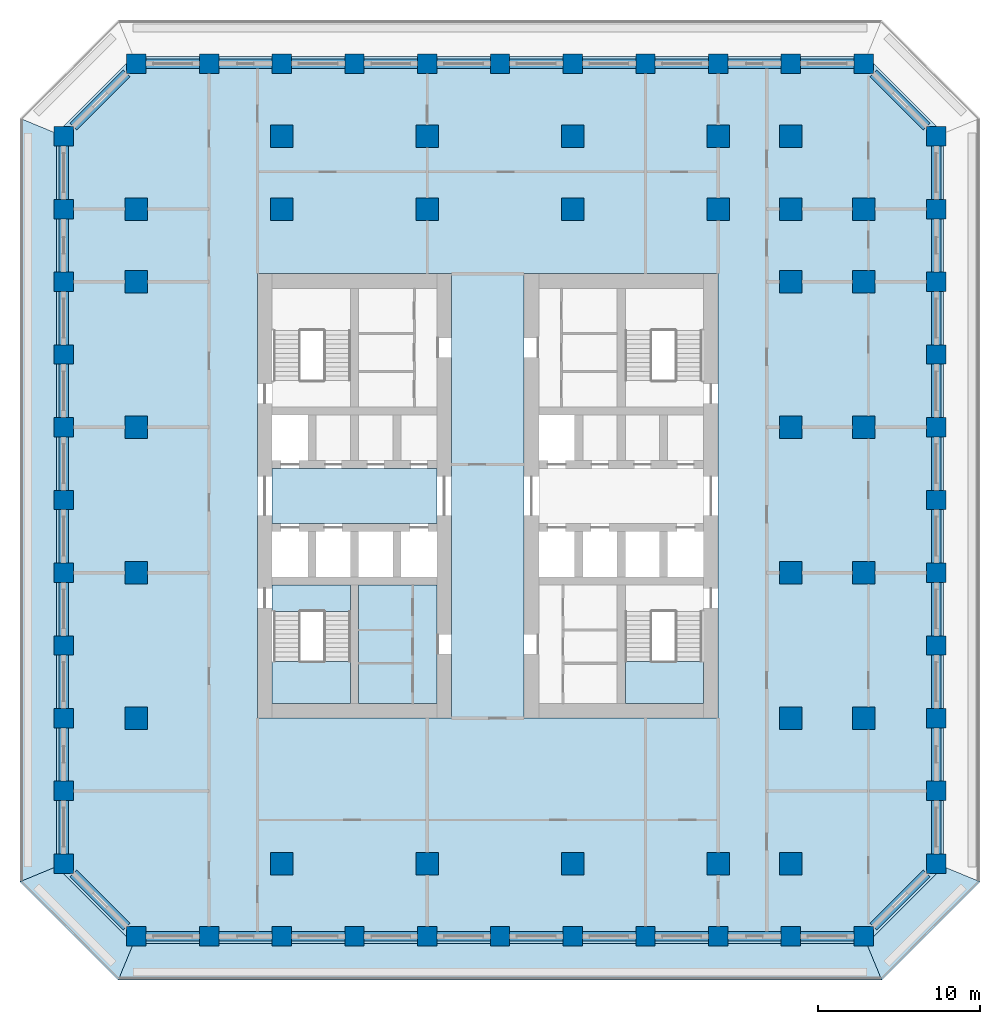
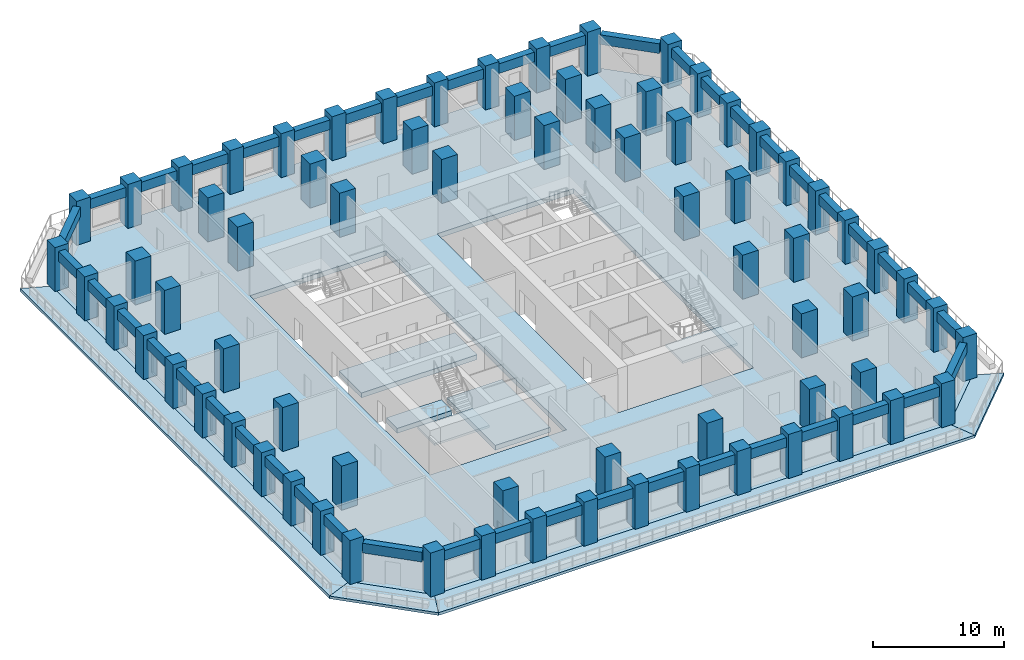
# One storey, part 1 of 17: 73 columns, 44 beams, 10 slabs, 2 elements without a shape of their own.
"""IFC4 building model written with IfcOpenShell, lengths in metres."""

from ifc_helpers import new_model, si_unit, direction, frame, origin, origin_2d, place, context, subcontext, project, spatial, polyline, rectangle, outline, extrude, material, layer, layer_set, material_profile, profile_set, type_object, element, aggregate, save


model = new_model("IFC4")

# Units and contexts
model_context = context("Model", 3, precision=1e-05, world=origin(), true_north=direction((0.0, 1.0)))
body_context = subcontext(model_context, "Body", "Model", "MODEL_VIEW")
ifc_project = project(units=[si_unit("LENGTHUNIT", "METRE"), si_unit("AREAUNIT", "SQUARE_METRE"), si_unit("VOLUMEUNIT", "CUBIC_METRE"), si_unit("PLANEANGLEUNIT", "RADIAN"), si_unit("MASSUNIT", "GRAM", prefix="KILO")], contexts=[model_context])

# Site, building, storey
site_placement = place(None, origin())
site = spatial("IfcSite", under=ifc_project, at=site_placement, CompositionType="ELEMENT")
building_placement = place(site_placement, origin())
building = spatial("IfcBuilding", under=site, at=building_placement, Name="Corbel Stack Research Tower", CompositionType="ELEMENT")
storey_placement = place(building_placement, frame((0.0, 0.0, 94.300048828125)))
storey = spatial("IfcBuildingStorey", under=building, at=storey_placement, Name="L21", CompositionType="ELEMENT", Elevation=94.300048828125)

# Columns
ifc_material_1 = material(Name="Concrete C70/85", Category="concrete")
ifc_material_profile_1 = material_profile(ifc_material_1, rectangle(XDim=1.199951171875, YDim=1.199951171875, at=origin_2d()), Name="RC 1200 x 1200")
ifc_profile_set_1 = profile_set([ifc_material_profile_1], Name="Concrete C70/85")
column_type_1 = type_object("IfcColumnType", Name="C-1200-70", PredefinedType="COLUMN", material=ifc_profile_set_1)
for number, where, z_axis, x_axis, name in (
    (1, (-22.5, -18.0, 0.0), (0.0, 0.0, 1.0), (1.0, 0.0, 0.0), "Column 3/D L21"),
    (2, (-22.5, -13.5, 0.0), (0.0, 0.0, 1.0), (1.0, 0.0, 0.0), "Column 3/E L21"),
    (3, (-22.5, -9.0, 0.0), (0.0, 0.0, 1.0), (1.0, 0.0, 0.0), "Column 3/F L21"),
    (4, (-22.5, -4.5, 0.0), (0.0, 0.0, 1.0), (1.0, 0.0, 0.0), "Column 3/G L21"),
    (5, (-22.5, 0.0, 0.0), (0.0, 0.0, 1.0), (1.0, 0.0, 0.0), "Column 3/H L21"),
    (6, (-22.5, 4.5, 0.0), (0.0, 0.0, 1.0), (1.0, 0.0, 0.0), "Column 3/J L21"),
    (7, (-22.5, 9.0, 0.0), (0.0, 0.0, 1.0), (1.0, 0.0, 0.0), "Column 3/K L21"),
    (8, (-22.5, 13.5, 0.0), (0.0, 0.0, 1.0), (1.0, 0.0, 0.0), "Column 3/L L21"),
    (9, (-22.5, 18.0, 0.0), (0.0, 0.0, 1.0), (1.0, 0.0, 0.0), "Column 3/M L21"),
    (10, (-22.5, 22.5, 0.0), (0.0, 0.0, 1.0), (1.0, 0.0, 0.0), "Column 3/N L21"),
    (11, (-22.5, 27.0, 0.0), (0.0, 0.0, 1.0), (1.0, 0.0, 0.0), "Column 3/P L21"),
    (12, (-18.0, -22.5, 0.0), (0.0, 0.0, 1.0), (1.0, 0.0, 0.0), "Column 4/C L21"),
    (13, (-18.0, 31.5, 0.0), (0.0, 0.0, 1.0), (1.0, 0.0, 0.0), "Column 4/Q L21"),
    (14, (-13.5, -22.5, 0.0), (0.0, 0.0, 1.0), (1.0, 0.0, 0.0), "Column 5/C L21"),
    (15, (-13.5, 31.5, 0.0), (0.0, 0.0, 1.0), (1.0, 0.0, 0.0), "Column 5/Q L21"),
    (16, (-9.0, -22.5, 0.0), (0.0, 0.0, 1.0), (1.0, 0.0, 0.0), "Column 6/C L21"),
    (17, (-9.0, 31.5, 0.0), (0.0, 0.0, 1.0), (1.0, 0.0, 0.0), "Column 6/Q L21"),
    (18, (-4.5, -22.5, 0.0), (0.0, 0.0, 1.0), (1.0, 0.0, 0.0), "Column 7/C L21"),
    (19, (-4.5, 31.5, 0.0), (0.0, 0.0, 1.0), (1.0, 0.0, 0.0), "Column 7/Q L21"),
    (20, (0.0, -22.5, 0.0), (0.0, 0.0, 1.0), (1.0, 0.0, 0.0), "Column 8/C L21"),
    (21, (0.0, 31.5, 0.0), (0.0, 0.0, 1.0), (1.0, 0.0, 0.0), "Column 8/Q L21"),
    (22, (4.5, -22.5, 0.0), (0.0, 0.0, 1.0), (1.0, 0.0, 0.0), "Column 9/C L21"),
    (23, (4.5, 31.5, 0.0), (0.0, 0.0, 1.0), (1.0, 0.0, 0.0), "Column 9/Q L21"),
    (24, (9.0, -22.5, 0.0), (0.0, 0.0, 1.0), (1.0, 0.0, 0.0), "Column 10/C L21"),
    (25, (9.0, 31.5, 0.0), (0.0, 0.0, 1.0), (1.0, 0.0, 0.0), "Column 10/Q L21"),
    (26, (13.5, -22.5, 0.0), (0.0, 0.0, 1.0), (1.0, 0.0, 0.0), "Column 11/C L21"),
    (27, (13.5, 31.5, 0.0), (0.0, 0.0, 1.0), (1.0, 0.0, 0.0), "Column 11/Q L21"),
    (28, (18.0, -22.5, 0.0), (0.0, 0.0, 1.0), (1.0, 0.0, 0.0), "Column 12/C L21"),
    (29, (18.0, 31.5, 0.0), (0.0, 0.0, 1.0), (1.0, 0.0, 0.0), "Column 12/Q L21"),
    (30, (22.5, -22.5, 0.0), (0.0, 0.0, 1.0), (1.0, 0.0, 0.0), "Column 13/C L21"),
    (31, (22.5, 31.5, 0.0), (0.0, 0.0, 1.0), (1.0, 0.0, 0.0), "Column 13/Q L21"),
    (32, (27.0, -22.5, 0.0), (0.0, 0.0, 1.0), (1.0, 0.0, 0.0), "Column 14/C L21"),
    (33, (27.0, 31.5, 0.0), (0.0, 0.0, 1.0), (1.0, 0.0, 0.0), "Column 14/Q L21"),
    (34, (31.5, -18.0, 0.0), (0.0, 0.0, 1.0), (1.0, 0.0, 0.0), "Column 15/D L21"),
    (35, (31.5, -13.5, 0.0), (0.0, 0.0, 1.0), (1.0, 0.0, 0.0), "Column 15/E L21"),
    (36, (31.5, -9.0, 0.0), (0.0, 0.0, 1.0), (1.0, 0.0, 0.0), "Column 15/F L21"),
    (37, (31.5, -4.5, 0.0), (0.0, 0.0, 1.0), (1.0, 0.0, 0.0), "Column 15/G L21"),
    (38, (31.5, 0.0, 0.0), (0.0, 0.0, 1.0), (1.0, 0.0, 0.0), "Column 15/H L21"),
    (39, (31.5, 4.5, 0.0), (0.0, 0.0, 1.0), (1.0, 0.0, 0.0), "Column 15/J L21"),
    (40, (31.5, 9.0, 0.0), (0.0, 0.0, 1.0), (1.0, 0.0, 0.0), "Column 15/K L21"),
    (41, (31.5, 13.5, 0.0), (0.0, 0.0, 1.0), (1.0, 0.0, 0.0), "Column 15/L L21"),
    (42, (31.5, 18.0, 0.0), (0.0, 0.0, 1.0), (1.0, 0.0, 0.0), "Column 15/M L21"),
    (43, (31.5, 22.5, 0.0), (0.0, 0.0, 1.0), (1.0, 0.0, 0.0), "Column 15/N L21"),
    (44, (31.5, 27.0, 0.0), (0.0, 0.0, 1.0), (1.0, 0.0, 0.0), "Column 15/P L21"),
):
    element("IfcColumn", number, at=place(storey_placement, frame(where, z_axis=z_axis, x_axis=x_axis)), inside=storey, type_object=column_type_1, Name=name, PredefinedType="COLUMN", context=body_context, shape_type="SweptSolid", body=[
        extrude(rectangle(XDim=1.199951171875, YDim=1.199951171875, at=origin_2d()), origin(), (0.0, 0.0, 1.0), 4.099853515625),
    ])
ifc_material_2 = material(Name="Concrete C70/85", Category="concrete")
ifc_material_profile_2 = material_profile(ifc_material_2, rectangle(XDim=1.39990234375, YDim=1.39990234375, at=origin_2d()), Name="RC 1400 x 1400")
ifc_profile_set_2 = profile_set([ifc_material_profile_2], Name="Concrete C70/85")
column_type_2 = type_object("IfcColumnType", Name="C-1400-70", PredefinedType="COLUMN", material=ifc_profile_set_2)
for number, where, z_axis, x_axis, name in (
    (45, (-18.0, -9.0, 0.0), (0.0, 0.0, 1.0), (1.0, 0.0, 0.0), "Column 4/F L21"),
    (46, (-18.0, 0.0, 0.0), (0.0, 0.0, 1.0), (1.0, 0.0, 0.0), "Column 4/H L21"),
    (47, (-18.0, 9.0, 0.0), (0.0, 0.0, 1.0), (1.0, 0.0, 0.0), "Column 4/K L21"),
    (48, (-18.0, 18.0, 0.0), (0.0, 0.0, 1.0), (1.0, 0.0, 0.0), "Column 4/M L21"),
    (49, (-18.0, 22.5, 0.0), (0.0, 0.0, 1.0), (1.0, 0.0, 0.0), "Column 4/N L21"),
    (50, (-9.0, -18.0, 0.0), (0.0, 0.0, 1.0), (1.0, 0.0, 0.0), "Column 6/D L21"),
    (51, (-9.0, 22.5, 0.0), (0.0, 0.0, 1.0), (1.0, 0.0, 0.0), "Column 6/N L21"),
    (52, (-9.0, 27.0, 0.0), (0.0, 0.0, 1.0), (1.0, 0.0, 0.0), "Column 6/P L21"),
    (53, (0.0, -18.0, 0.0), (0.0, 0.0, 1.0), (1.0, 0.0, 0.0), "Column 8/D L21"),
    (54, (0.0, 22.5, 0.0), (0.0, 0.0, 1.0), (1.0, 0.0, 0.0), "Column 8/N L21"),
    (55, (0.0, 27.0, 0.0), (0.0, 0.0, 1.0), (1.0, 0.0, 0.0), "Column 8/P L21"),
    (56, (9.0, -18.0, 0.0), (0.0, 0.0, 1.0), (1.0, 0.0, 0.0), "Column 10/D L21"),
    (57, (9.0, 22.5, 0.0), (0.0, 0.0, 1.0), (1.0, 0.0, 0.0), "Column 10/N L21"),
    (58, (9.0, 27.0, 0.0), (0.0, 0.0, 1.0), (1.0, 0.0, 0.0), "Column 10/P L21"),
    (59, (18.0, -18.0, 0.0), (0.0, 0.0, 1.0), (1.0, 0.0, 0.0), "Column 12/D L21"),
    (60, (18.0, 22.5, 0.0), (0.0, 0.0, 1.0), (1.0, 0.0, 0.0), "Column 12/N L21"),
    (61, (18.0, 27.0, 0.0), (0.0, 0.0, 1.0), (1.0, 0.0, 0.0), "Column 12/P L21"),
    (62, (22.5, -18.0, 0.0), (0.0, 0.0, 1.0), (1.0, 0.0, 0.0), "Column 13/D L21"),
    (63, (22.5, -9.0, 0.0), (0.0, 0.0, 1.0), (1.0, 0.0, 0.0), "Column 13/F L21"),
    (64, (22.5, 0.0, 0.0), (0.0, 0.0, 1.0), (1.0, 0.0, 0.0), "Column 13/H L21"),
    (65, (22.5, 9.0, 0.0), (0.0, 0.0, 1.0), (1.0, 0.0, 0.0), "Column 13/K L21"),
    (66, (22.5, 18.0, 0.0), (0.0, 0.0, 1.0), (1.0, 0.0, 0.0), "Column 13/M L21"),
    (67, (22.5, 22.5, 0.0), (0.0, 0.0, 1.0), (1.0, 0.0, 0.0), "Column 13/N L21"),
    (68, (22.5, 27.0, 0.0), (0.0, 0.0, 1.0), (1.0, 0.0, 0.0), "Column 13/P L21"),
    (69, (27.0, -9.0, 0.0), (0.0, 0.0, 1.0), (1.0, 0.0, 0.0), "Column 14/F L21"),
    (70, (27.0, 0.0, 0.0), (0.0, 0.0, 1.0), (1.0, 0.0, 0.0), "Column 14/H L21"),
    (71, (27.0, 9.0, 0.0), (0.0, 0.0, 1.0), (1.0, 0.0, 0.0), "Column 14/K L21"),
    (72, (27.0, 18.0, 0.0), (0.0, 0.0, 1.0), (1.0, 0.0, 0.0), "Column 14/M L21"),
    (73, (27.0, 22.5, 0.0), (0.0, 0.0, 1.0), (1.0, 0.0, 0.0), "Column 14/N L21"),
):
    element("IfcColumn", number, at=place(storey_placement, frame(where, z_axis=z_axis, x_axis=x_axis)), inside=storey, type_object=column_type_2, Name=name, PredefinedType="COLUMN", context=body_context, shape_type="SweptSolid", body=[
        extrude(rectangle(XDim=1.39990234375, YDim=1.39990234375, at=origin_2d()), origin(), (0.0, 0.0, 1.0), 4.099853515625),
    ])

# Beams
ifc_material_3 = material(Name="Concrete C60/75", Category="concrete")
ifc_material_profile_3 = material_profile(ifc_material_3, rectangle(XDim=0.60009765625, YDim=0.89990234375, at=origin_2d()), Name="RC 600 x 900")
ifc_profile_set_3 = profile_set([ifc_material_profile_3], Name="Concrete C60/75")
beam_type = type_object("IfcBeamType", Name="SB-600-900-450", PredefinedType="SPANDREL", material=ifc_profile_set_3)
for number, where, z_axis, x_axis, name in (
    (74, (-17.39990234375, -22.5, 3.199951171875), (1.0, 0.0, 0.0), (0.0, 1.0, 0.0), "Spandrel beam L21-01"),
    (75, (-12.89990234375, -22.5, 3.199951171875), (1.0, 0.0, 0.0), (0.0, 1.0, 0.0), "Spandrel beam L21-02"),
    (76, (-8.39990234375, -22.5, 3.199951171875), (1.0, 0.0, 0.0), (0.0, 1.0, 0.0), "Spandrel beam L21-03"),
    (77, (-3.89990234375, -22.5, 3.199951171875), (1.0, 0.0, 0.0), (0.0, 1.0, 0.0), "Spandrel beam L21-04"),
    (78, (0.60009765625, -22.5, 3.199951171875), (1.0, 0.0, 0.0), (0.0, 1.0, 0.0), "Spandrel beam L21-05"),
    (79, (5.10009765625, -22.5, 3.199951171875), (1.0, 0.0, 0.0), (0.0, 1.0, 0.0), "Spandrel beam L21-06"),
    (80, (9.60009765625, -22.5, 3.199951171875), (1.0, 0.0, 0.0), (0.0, 1.0, 0.0), "Spandrel beam L21-07"),
    (81, (14.10009765625, -22.5, 3.199951171875), (1.0, 0.0, 0.0), (0.0, 1.0, 0.0), "Spandrel beam L21-08"),
    (82, (18.60009765625, -22.5, 3.199951171875), (1.0, 0.0, 0.0), (0.0, 1.0, 0.0), "Spandrel beam L21-09"),
    (83, (23.10009765625, -22.5, 3.199951171875), (1.0, 0.0, 0.0), (0.0, 1.0, 0.0), "Spandrel beam L21-10"),
):
    element("IfcBeam", number, at=place(storey_placement, frame(where, z_axis=z_axis, x_axis=x_axis)), inside=storey, type_object=beam_type, Name=name, PredefinedType="SPANDREL", context=body_context, shape_type="SweptSolid", body=[
        extrude(rectangle(XDim=0.60009765625, YDim=0.89990234375, at=origin_2d()), origin(), (0.0, 0.0, 1.0), 3.2998046875),
    ])
beam_1_placement = place(storey_placement, frame((27.60009765625, -21.89990234375, 3.199951171875), z_axis=(0.707106781187, 0.707106781187, 0.0), x_axis=(-0.707106781187, 0.707106781187, 0.0)))
element("IfcBeam", 84, at=beam_1_placement, inside=storey, type_object=beam_type, Name="Spandrel beam L21-11", PredefinedType="SPANDREL", context=body_context, shape_type="SweptSolid", body=[
    extrude(rectangle(XDim=0.60009765625, YDim=0.89990234375, at=origin_2d()), origin(), (0.0, 0.0, 1.0), 4.666748046875),
])
for number, where, z_axis, x_axis, name in (
    (85, (31.5, -17.39990234375, 3.199951171875), (0.0, 1.0, 0.0), (-1.0, 0.0, 0.0), "Spandrel beam L21-12"),
    (86, (31.5, -12.89990234375, 3.199951171875), (0.0, 1.0, 0.0), (-1.0, 0.0, 0.0), "Spandrel beam L21-13"),
    (87, (31.5, -8.39990234375, 3.199951171875), (0.0, 1.0, 0.0), (-1.0, 0.0, 0.0), "Spandrel beam L21-14"),
    (88, (31.5, -3.89990234375, 3.199951171875), (0.0, 1.0, 0.0), (-1.0, 0.0, 0.0), "Spandrel beam L21-15"),
    (89, (31.5, 0.60009765625, 3.199951171875), (0.0, 1.0, 0.0), (-1.0, 0.0, 0.0), "Spandrel beam L21-16"),
    (90, (31.5, 5.10009765625, 3.199951171875), (0.0, 1.0, 0.0), (-1.0, 0.0, 0.0), "Spandrel beam L21-17"),
    (91, (31.5, 9.60009765625, 3.199951171875), (0.0, 1.0, 0.0), (-1.0, 0.0, 0.0), "Spandrel beam L21-18"),
    (92, (31.5, 14.10009765625, 3.199951171875), (0.0, 1.0, 0.0), (-1.0, 0.0, 0.0), "Spandrel beam L21-19"),
    (93, (31.5, 18.60009765625, 3.199951171875), (0.0, 1.0, 0.0), (-1.0, 0.0, 0.0), "Spandrel beam L21-20"),
    (94, (31.5, 23.10009765625, 3.199951171875), (0.0, 1.0, 0.0), (-1.0, 0.0, 0.0), "Spandrel beam L21-21"),
):
    element("IfcBeam", number, at=place(storey_placement, frame(where, z_axis=z_axis, x_axis=x_axis)), inside=storey, type_object=beam_type, Name=name, PredefinedType="SPANDREL", context=body_context, shape_type="SweptSolid", body=[
        extrude(rectangle(XDim=0.60009765625, YDim=0.89990234375, at=origin_2d()), origin(), (0.0, 0.0, 1.0), 3.2998046875),
    ])
beam_2_placement = place(storey_placement, frame((30.89990234375, 27.60009765625, 3.199951171875), z_axis=(-0.707106781187, 0.707106781187, 0.0), x_axis=(-0.707106781187, -0.707106781187, 0.0)))
element("IfcBeam", 95, at=beam_2_placement, inside=storey, type_object=beam_type, Name="Spandrel beam L21-22", PredefinedType="SPANDREL", context=body_context, shape_type="SweptSolid", body=[
    extrude(rectangle(XDim=0.60009765625, YDim=0.89990234375, at=origin_2d()), origin(), (0.0, 0.0, 1.0), 4.666748046875),
])
for number, where, z_axis, x_axis, name in (
    (96, (26.39990234375, 31.5, 3.199951171875), (-1.0, 0.0, 0.0), (0.0, -1.0, 0.0), "Spandrel beam L21-23"),
    (97, (21.89990234375, 31.5, 3.199951171875), (-1.0, 0.0, 0.0), (0.0, -1.0, 0.0), "Spandrel beam L21-24"),
    (98, (17.39990234375, 31.5, 3.199951171875), (-1.0, 0.0, 0.0), (0.0, -1.0, 0.0), "Spandrel beam L21-25"),
    (99, (12.89990234375, 31.5, 3.199951171875), (-1.0, 0.0, 0.0), (0.0, -1.0, 0.0), "Spandrel beam L21-26"),
    (100, (8.39990234375, 31.5, 3.199951171875), (-1.0, 0.0, 0.0), (0.0, -1.0, 0.0), "Spandrel beam L21-27"),
    (101, (3.89990234375, 31.5, 3.199951171875), (-1.0, 0.0, 0.0), (0.0, -1.0, 0.0), "Spandrel beam L21-28"),
    (102, (-0.60009765625, 31.5, 3.199951171875), (-1.0, 0.0, 0.0), (0.0, -1.0, 0.0), "Spandrel beam L21-29"),
    (103, (-5.10009765625, 31.5, 3.199951171875), (-1.0, 0.0, 0.0), (0.0, -1.0, 0.0), "Spandrel beam L21-30"),
    (104, (-9.60009765625, 31.5, 3.199951171875), (-1.0, 0.0, 0.0), (0.0, -1.0, 0.0), "Spandrel beam L21-31"),
    (105, (-14.10009765625, 31.5, 3.199951171875), (-1.0, 0.0, 0.0), (0.0, -1.0, 0.0), "Spandrel beam L21-32"),
):
    element("IfcBeam", number, at=place(storey_placement, frame(where, z_axis=z_axis, x_axis=x_axis)), inside=storey, type_object=beam_type, Name=name, PredefinedType="SPANDREL", context=body_context, shape_type="SweptSolid", body=[
        extrude(rectangle(XDim=0.60009765625, YDim=0.89990234375, at=origin_2d()), origin(), (0.0, 0.0, 1.0), 3.2998046875),
    ])
beam_3_placement = place(storey_placement, frame((-18.60009765625, 30.89990234375, 3.199951171875), z_axis=(-0.707106781187, -0.707106781187, 0.0), x_axis=(0.707106781187, -0.707106781187, 0.0)))
element("IfcBeam", 106, at=beam_3_placement, inside=storey, type_object=beam_type, Name="Spandrel beam L21-33", PredefinedType="SPANDREL", context=body_context, shape_type="SweptSolid", body=[
    extrude(rectangle(XDim=0.60009765625, YDim=0.89990234375, at=origin_2d()), origin(), (0.0, 0.0, 1.0), 4.666748046875),
])
for number, where, z_axis, x_axis, name in (
    (107, (-22.5, 26.39990234375, 3.199951171875), (0.0, -1.0, 0.0), (1.0, 0.0, 0.0), "Spandrel beam L21-34"),
    (108, (-22.5, 21.89990234375, 3.199951171875), (0.0, -1.0, 0.0), (1.0, 0.0, 0.0), "Spandrel beam L21-35"),
    (109, (-22.5, 17.39990234375, 3.199951171875), (0.0, -1.0, 0.0), (1.0, 0.0, 0.0), "Spandrel beam L21-36"),
    (110, (-22.5, 12.89990234375, 3.199951171875), (0.0, -1.0, 0.0), (1.0, 0.0, 0.0), "Spandrel beam L21-37"),
    (111, (-22.5, 8.39990234375, 3.199951171875), (0.0, -1.0, 0.0), (1.0, 0.0, 0.0), "Spandrel beam L21-38"),
    (112, (-22.5, 3.89990234375, 3.199951171875), (0.0, -1.0, 0.0), (1.0, 0.0, 0.0), "Spandrel beam L21-39"),
    (113, (-22.5, -0.60009765625, 3.199951171875), (0.0, -1.0, 0.0), (1.0, 0.0, 0.0), "Spandrel beam L21-40"),
    (114, (-22.5, -5.10009765625, 3.199951171875), (0.0, -1.0, 0.0), (1.0, 0.0, 0.0), "Spandrel beam L21-41"),
    (115, (-22.5, -9.60009765625, 3.199951171875), (0.0, -1.0, 0.0), (1.0, 0.0, 0.0), "Spandrel beam L21-42"),
    (116, (-22.5, -14.10009765625, 3.199951171875), (0.0, -1.0, 0.0), (1.0, 0.0, 0.0), "Spandrel beam L21-43"),
):
    element("IfcBeam", number, at=place(storey_placement, frame(where, z_axis=z_axis, x_axis=x_axis)), inside=storey, type_object=beam_type, Name=name, PredefinedType="SPANDREL", context=body_context, shape_type="SweptSolid", body=[
        extrude(rectangle(XDim=0.60009765625, YDim=0.89990234375, at=origin_2d()), origin(), (0.0, 0.0, 1.0), 3.2998046875),
    ])
beam_4_placement = place(storey_placement, frame((-21.89990234375, -18.60009765625, 3.199951171875), z_axis=(0.707106781187, -0.707106781187, 0.0), x_axis=(0.707106781187, 0.707106781187, 0.0)))
element("IfcBeam", 117, at=beam_4_placement, inside=storey, type_object=beam_type, Name="Spandrel beam L21-44", PredefinedType="SPANDREL", context=body_context, shape_type="SweptSolid", body=[
    extrude(rectangle(XDim=0.60009765625, YDim=0.89990234375, at=origin_2d()), origin(), (0.0, 0.0, 1.0), 4.666748046875),
])

# Slabs
ifc_material_4 = material(Name="Concrete C45/55", Category="concrete")
ifc_layer_1 = layer(ifc_material_4, 0.25)
ifc_layer_set_1 = layer_set([ifc_layer_1], Name="Concrete C45/55")
slab_type_1 = type_object("IfcSlabType", Name="PT balcony slab 250 C45/55", PredefinedType="FLOOR", material=ifc_layer_set_1)
slab_1_placement = place(storey_placement, frame((0.0, 0.0, -0.25)))
element("IfcSlab", 118, at=slab_1_placement, inside=storey, type_object=slab_type_1, Name="Loggia slab L21 S", PredefinedType="FLOOR", context=body_context, shape_type="SweptSolid", body=[
    extrude(outline(polyline([(27.24853515625, -23.10009765625), (26.39990234375, -23.10009765625), (26.39990234375, -22.949951171875), (23.10009765625, -22.949951171875), (23.10009765625, -23.10009765625), (21.89990234375, -23.10009765625), (21.89990234375, -22.949951171875), (18.60009765625, -22.949951171875), (18.60009765625, -23.10009765625), (17.39990234375, -23.10009765625), (17.39990234375, -22.949951171875), (14.10009765625, -22.949951171875), (14.10009765625, -23.10009765625), (12.89990234375, -23.10009765625), (12.89990234375, -22.949951171875), (9.60009765625, -22.949951171875), (9.60009765625, -23.10009765625), (8.39990234375, -23.10009765625), (8.39990234375, -22.949951171875), (5.10009765625, -22.949951171875), (5.10009765625, -23.10009765625), (3.89990234375, -23.10009765625), (3.89990234375, -22.949951171875), (0.60009765625, -22.949951171875), (0.60009765625, -23.10009765625), (-0.60009765625, -23.10009765625), (-0.60009765625, -22.949951171875), (-3.89990234375, -22.949951171875), (-3.89990234375, -23.10009765625), (-5.10009765625, -23.10009765625), (-5.10009765625, -22.949951171875), (-8.39990234375, -22.949951171875), (-8.39990234375, -23.10009765625), (-9.60009765625, -23.10009765625), (-9.60009765625, -22.949951171875), (-12.89990234375, -22.949951171875), (-12.89990234375, -23.10009765625), (-14.10009765625, -23.10009765625), (-14.10009765625, -22.949951171875), (-17.39990234375, -22.949951171875), (-17.39990234375, -23.10009765625), (-18.24853515625, -23.10009765625), (-19.118408203125, -25.199951171875), (28.118408203125, -25.199951171875), (27.24853515625, -23.10009765625)])), origin(), (0.0, 0.0, 1.0), 0.25),
])
slab_2_placement = place(storey_placement, frame((0.0, 0.0, -0.25)))
element("IfcSlab", 119, at=slab_2_placement, inside=storey, type_object=slab_type_1, Name="Loggia slab L21 SE", PredefinedType="FLOOR", context=body_context, shape_type="SweptSolid", body=[
    extrude(outline(polyline([(32.10009765625, -18.24853515625), (32.10009765625, -18.60009765625), (31.536376953125, -18.60009765625), (27.60009765625, -22.536376953125), (27.60009765625, -23.10009765625), (27.24853515625, -23.10009765625), (28.118408203125, -25.199951171875), (34.199951171875, -19.118408203125), (32.10009765625, -18.24853515625)])), origin(), (0.0, 0.0, 1.0), 0.25),
])
slab_3_placement = place(storey_placement, frame((0.0, 0.0, -0.25)))
element("IfcSlab", 120, at=slab_3_placement, inside=storey, type_object=slab_type_1, Name="Loggia slab L21 W", PredefinedType="FLOOR", context=body_context, shape_type="SweptSolid", body=[
    extrude(outline(polyline([(-23.10009765625, -18.24853515625), (-23.10009765625, -17.39990234375), (-22.949951171875, -17.39990234375), (-22.949951171875, -14.10009765625), (-23.10009765625, -14.10009765625), (-23.10009765625, -12.89990234375), (-22.949951171875, -12.89990234375), (-22.949951171875, -9.60009765625), (-23.10009765625, -9.60009765625), (-23.10009765625, -8.39990234375), (-22.949951171875, -8.39990234375), (-22.949951171875, -5.10009765625), (-23.10009765625, -5.10009765625), (-23.10009765625, -3.89990234375), (-22.949951171875, -3.89990234375), (-22.949951171875, -0.60009765625), (-23.10009765625, -0.60009765625), (-23.10009765625, 0.60009765625), (-22.949951171875, 0.60009765625), (-22.949951171875, 3.89990234375), (-23.10009765625, 3.89990234375), (-23.10009765625, 5.10009765625), (-22.949951171875, 5.10009765625), (-22.949951171875, 8.39990234375), (-23.10009765625, 8.39990234375), (-23.10009765625, 9.60009765625), (-22.949951171875, 9.60009765625), (-22.949951171875, 12.89990234375), (-23.10009765625, 12.89990234375), (-23.10009765625, 14.10009765625), (-22.949951171875, 14.10009765625), (-22.949951171875, 17.39990234375), (-23.10009765625, 17.39990234375), (-23.10009765625, 18.60009765625), (-22.949951171875, 18.60009765625), (-22.949951171875, 21.89990234375), (-23.10009765625, 21.89990234375), (-23.10009765625, 23.10009765625), (-22.949951171875, 23.10009765625), (-22.949951171875, 26.39990234375), (-23.10009765625, 26.39990234375), (-23.10009765625, 27.24853515625), (-25.199951171875, 28.118408203125), (-25.199951171875, -19.118408203125), (-23.10009765625, -18.24853515625)])), origin(), (0.0, 0.0, 1.0), 0.25),
])
slab_4_placement = place(storey_placement, frame((0.0, 0.0, -0.25)))
element("IfcSlab", 121, at=slab_4_placement, inside=storey, type_object=slab_type_1, Name="Loggia slab L21 SW", PredefinedType="FLOOR", context=body_context, shape_type="SweptSolid", body=[
    extrude(outline(polyline([(-18.24853515625, -23.10009765625), (-18.60009765625, -23.10009765625), (-18.60009765625, -22.536376953125), (-22.536376953125, -18.60009765625), (-23.10009765625, -18.60009765625), (-23.10009765625, -18.24853515625), (-25.199951171875, -19.118408203125), (-19.118408203125, -25.199951171875), (-18.24853515625, -23.10009765625)])), origin(), (0.0, 0.0, 1.0), 0.25),
])
ifc_material_5 = material(Name="Concrete C45/55", Category="concrete")
ifc_layer_2 = layer(ifc_material_5, 0.449951171875)
ifc_layer_set_2 = layer_set([ifc_layer_2], Name="Concrete C45/55")
slab_type_2 = type_object("IfcSlabType", Name="PT-450", PredefinedType="FLOOR", material=ifc_layer_set_2)
slab_5_placement = place(storey_placement, frame((0.0, 0.0, -0.449951171875)))
element("IfcSlab", 122, at=slab_5_placement, inside=storey, type_object=slab_type_2, Name="Floor slab L21", PredefinedType="FLOOR", context=body_context, shape_type="SweptSolid", body=[
    extrude(outline(polyline([(-18.186279296875, -22.949951171875), (27.186279296875, -22.949951171875), (31.949951171875, -18.186279296875), (31.949951171875, 27.186279296875), (27.186279296875, 31.949951171875), (-18.186279296875, 31.949951171875), (-22.949951171875, 27.186279296875), (-22.949951171875, -18.186279296875), (-18.186279296875, -22.949951171875)]), holes=[polyline([(26.300048828125, 21.800048828125), (26.300048828125, 23.199951171875), (27.699951171875, 23.199951171875), (27.699951171875, 21.800048828125), (26.300048828125, 21.800048828125)]), polyline([(26.300048828125, -9.699951171875), (26.300048828125, -8.300048828125), (27.699951171875, -8.300048828125), (27.699951171875, -9.699951171875), (26.300048828125, -9.699951171875)]), polyline([(26.300048828125, -0.699951171875), (26.300048828125, 0.699951171875), (27.699951171875, 0.699951171875), (27.699951171875, -0.699951171875), (26.300048828125, -0.699951171875)]), polyline([(26.300048828125, 8.300048828125), (26.300048828125, 9.699951171875), (27.699951171875, 9.699951171875), (27.699951171875, 8.300048828125), (26.300048828125, 8.300048828125)]), polyline([(26.300048828125, 17.300048828125), (26.300048828125, 18.699951171875), (27.699951171875, 18.699951171875), (27.699951171875, 17.300048828125), (26.300048828125, 17.300048828125)]), polyline([(21.800048828125, 26.300048828125), (21.800048828125, 27.699951171875), (23.199951171875, 27.699951171875), (23.199951171875, 26.300048828125), (21.800048828125, 26.300048828125)]), polyline([(21.800048828125, 21.800048828125), (21.800048828125, 23.199951171875), (23.199951171875, 23.199951171875), (23.199951171875, 21.800048828125), (21.800048828125, 21.800048828125)]), polyline([(21.800048828125, 17.300048828125), (21.800048828125, 18.699951171875), (23.199951171875, 18.699951171875), (23.199951171875, 17.300048828125), (21.800048828125, 17.300048828125)]), polyline([(21.800048828125, 8.300048828125), (21.800048828125, 9.699951171875), (23.199951171875, 9.699951171875), (23.199951171875, 8.300048828125), (21.800048828125, 8.300048828125)]), polyline([(21.800048828125, -0.699951171875), (21.800048828125, 0.699951171875), (23.199951171875, 0.699951171875), (23.199951171875, -0.699951171875), (21.800048828125, -0.699951171875)]), polyline([(21.800048828125, -9.699951171875), (21.800048828125, -8.300048828125), (23.199951171875, -8.300048828125), (23.199951171875, -9.699951171875), (21.800048828125, -9.699951171875)]), polyline([(21.800048828125, -18.699951171875), (21.800048828125, -17.300048828125), (23.199951171875, -17.300048828125), (23.199951171875, -18.699951171875), (21.800048828125, -18.699951171875)]), polyline([(17.300048828125, 26.300048828125), (17.300048828125, 27.699951171875), (18.699951171875, 27.699951171875), (18.699951171875, 26.300048828125), (17.300048828125, 26.300048828125)]), polyline([(17.300048828125, 21.800048828125), (17.300048828125, 23.199951171875), (18.699951171875, 23.199951171875), (18.699951171875, 21.800048828125), (17.300048828125, 21.800048828125)]), polyline([(17.300048828125, -18.699951171875), (17.300048828125, -17.300048828125), (18.699951171875, -17.300048828125), (18.699951171875, -18.699951171875), (17.300048828125, -18.699951171875)]), polyline([(6.0, -9.0), (6.0, 18.5), (18.0, 18.5), (18.0, -9.0), (6.0, -9.0)]), polyline([(8.300048828125, 26.300048828125), (8.300048828125, 27.699951171875), (9.699951171875, 27.699951171875), (9.699951171875, 26.300048828125), (8.300048828125, 26.300048828125)]), polyline([(8.300048828125, 21.800048828125), (8.300048828125, 23.199951171875), (9.699951171875, 23.199951171875), (9.699951171875, 21.800048828125), (8.300048828125, 21.800048828125)]), polyline([(8.300048828125, -18.699951171875), (8.300048828125, -17.300048828125), (9.699951171875, -17.300048828125), (9.699951171875, -18.699951171875), (8.300048828125, -18.699951171875)]), polyline([(-10.5, -9.0), (-10.5, 18.5), (1.5, 18.5), (1.5, -9.0), (-10.5, -9.0)]), polyline([(-0.699951171875, 26.300048828125), (-0.699951171875, 27.699951171875), (0.699951171875, 27.699951171875), (0.699951171875, 26.300048828125), (-0.699951171875, 26.300048828125)]), polyline([(-0.699951171875, 21.800048828125), (-0.699951171875, 23.199951171875), (0.699951171875, 23.199951171875), (0.699951171875, 21.800048828125), (-0.699951171875, 21.800048828125)]), polyline([(-0.699951171875, -18.699951171875), (-0.699951171875, -17.300048828125), (0.699951171875, -17.300048828125), (0.699951171875, -18.699951171875), (-0.699951171875, -18.699951171875)]), polyline([(-9.699951171875, 26.300048828125), (-9.699951171875, 27.699951171875), (-8.300048828125, 27.699951171875), (-8.300048828125, 26.300048828125), (-9.699951171875, 26.300048828125)]), polyline([(-9.699951171875, 21.800048828125), (-9.699951171875, 23.199951171875), (-8.300048828125, 23.199951171875), (-8.300048828125, 21.800048828125), (-9.699951171875, 21.800048828125)]), polyline([(-8.300048828125, -18.699951171875), (-9.699951171875, -18.699951171875), (-9.699951171875, -17.300048828125), (-8.300048828125, -17.300048828125), (-8.300048828125, -18.699951171875)]), polyline([(-18.699951171875, 21.800048828125), (-18.699951171875, 23.199951171875), (-17.300048828125, 23.199951171875), (-17.300048828125, 21.800048828125), (-18.699951171875, 21.800048828125)]), polyline([(-18.699951171875, 17.300048828125), (-18.699951171875, 18.699951171875), (-17.300048828125, 18.699951171875), (-17.300048828125, 17.300048828125), (-18.699951171875, 17.300048828125)]), polyline([(-18.699951171875, 8.300048828125), (-18.699951171875, 9.699951171875), (-17.300048828125, 9.699951171875), (-17.300048828125, 8.300048828125), (-18.699951171875, 8.300048828125)]), polyline([(-18.699951171875, -0.699951171875), (-18.699951171875, 0.699951171875), (-17.300048828125, 0.699951171875), (-17.300048828125, -0.699951171875), (-18.699951171875, -0.699951171875)]), polyline([(-18.699951171875, -9.699951171875), (-18.699951171875, -8.300048828125), (-17.300048828125, -8.300048828125), (-17.300048828125, -9.699951171875), (-18.699951171875, -9.699951171875)])]), origin(), (0.0, 0.0, 1.0), 0.449951171875),
])
slab_6_placement = place(storey_placement, frame((0.0, 0.0, -0.449951171875)))
element("IfcSlab", 123, at=slab_6_placement, inside=storey, type_object=slab_type_2, Name="West core floor L21", PredefinedType="FLOOR", context=body_context, shape_type="SweptSolid", body=[
    extrude(outline(polyline([(0.60009765625, 6.449951171875), (-9.60009765625, 6.449951171875), (-9.60009765625, 3.050048828125), (0.60009765625, 3.050048828125), (0.60009765625, 6.449951171875)])), origin(), (0.0, 0.0, 1.0), 0.449951171875),
])
slab_7_placement = place(storey_placement, frame((0.0, 0.0, -0.449951171875)))
element("IfcSlab", 124, at=slab_7_placement, inside=storey, type_object=slab_type_2, Name="West core floor L21", PredefinedType="FLOOR", context=body_context, shape_type="SweptSolid", body=[
    extrude(outline(polyline([(0.60009765625, -8.10009765625), (0.60009765625, -0.75), (-4.25, -0.75), (-4.25, -8.10009765625), (0.60009765625, -8.10009765625)])), origin(), (0.0, 0.0, 1.0), 0.449951171875),
])
slab_8_placement = place(storey_placement, frame((0.0, 0.0, -0.449951171875)))
element("IfcSlab", 125, at=slab_8_placement, inside=storey, type_object=slab_type_2, Name="Stair floor landing ST-W1", PredefinedType="FLOOR", context=body_context, shape_type="SweptSolid", body=[
    extrude(outline(polyline([(-9.60009765625, -2.39990234375), (-4.75, -2.39990234375), (-4.75, -0.75), (-9.60009765625, -0.75), (-9.60009765625, -2.39990234375)])), origin(), (0.0, 0.0, 1.0), 0.449951171875),
])

# Stair, slab
ifc_material_6 = material(Name="Concrete C40/50", Category="concrete")
stair_type = type_object("IfcStairType", Name="Exit stair 24 risers", PredefinedType="HALF_TURN_STAIR", material=ifc_material_6)
stair_1_placement = place(storey_placement, origin())
stair_1 = element("IfcStair", 126, at=stair_1_placement, inside=storey, type_object=stair_type, Name="L21 Exit stair ST-W1", PredefinedType="HALF_TURN_STAIR")
ifc_material_7 = material(Name="Concrete C40/50", Category="concrete")
ifc_layer_3 = layer(ifc_material_7, 0.199951171875)
ifc_layer_set_3 = layer_set([ifc_layer_3], Name="Concrete C40/50")
slab_type_3 = type_object("IfcSlabType", Name="Stair landing 200 C40/50", PredefinedType="LANDING", material=ifc_layer_set_3)
slab_9_placement = place(storey_placement, frame((0.0, 0.0, 1.849853515625)))
slab_9 = element("IfcSlab", 127, at=slab_9_placement, type_object=slab_type_3, Name="ST-W1 landing 1", PredefinedType="LANDING", context=body_context, shape_type="SweptSolid", body=[
    extrude(outline(polyline([(-9.60009765625, -8.10009765625), (-9.60009765625, -5.47998046875), (-4.75, -5.47998046875), (-4.75, -8.10009765625), (-9.60009765625, -8.10009765625)])), origin(), (0.0, 0.0, 1.0), 0.2001953125),
])
aggregate(stair_1, [slab_9])

stair_2_placement = place(storey_placement, origin())
stair_2 = element("IfcStair", 128, at=stair_2_placement, inside=storey, type_object=stair_type, Name="L21 Exit stair ST-E1", PredefinedType="HALF_TURN_STAIR")
slab_10_placement = place(storey_placement, frame((0.0, 0.0, 1.849853515625)))
slab_10 = element("IfcSlab", 129, at=slab_10_placement, type_object=slab_type_3, Name="ST-E1 landing 1", PredefinedType="LANDING", context=body_context, shape_type="SweptSolid", body=[
    extrude(outline(polyline([(12.25, -8.10009765625), (12.25, -5.47998046875), (17.10009765625, -5.47998046875), (17.10009765625, -8.10009765625), (12.25, -8.10009765625)])), origin(), (0.0, 0.0, 1.0), 0.2001953125),
])
aggregate(stair_2, [slab_10])

save(model, "model.ifc")
